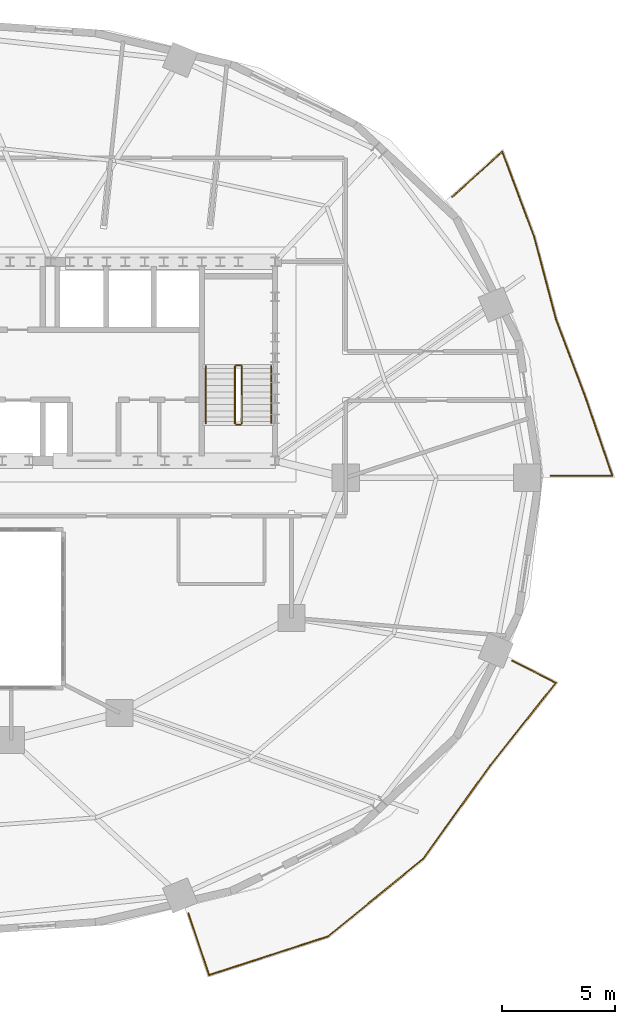
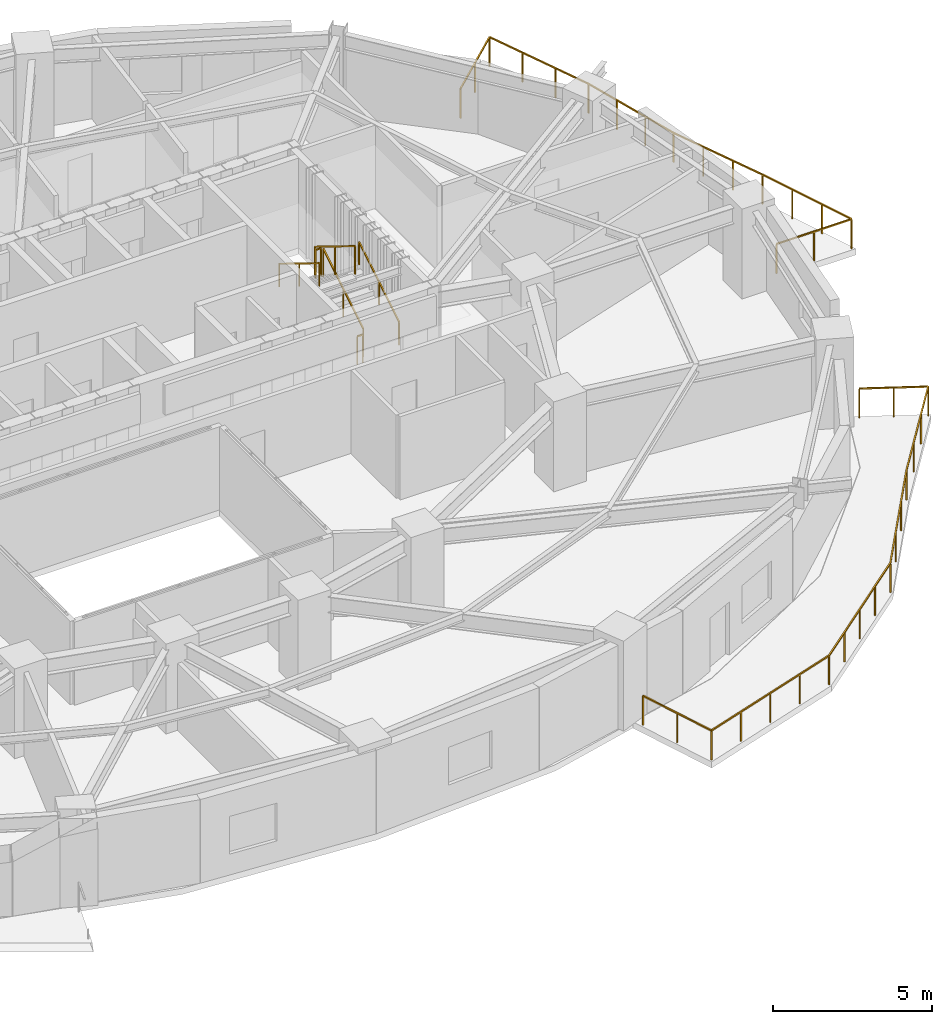
# One storey, part 13 of 13: 8 railings.
"""IFC4 building model written with IfcOpenShell, lengths in metres."""

from ifc_helpers import new_model, si_unit, direction, frame, origin, origin_2d, place, context, subcontext, project, spatial, rectangle, extrude, material, type_object, element, save


model = new_model("IFC4")

# Units and contexts
model_context = context("Model", 3, precision=1e-05, world=origin(), true_north=direction((0.0, 1.0)))
body_context = subcontext(model_context, "Body", "Model", "MODEL_VIEW")
ifc_project = project(units=[si_unit("LENGTHUNIT", "METRE"), si_unit("AREAUNIT", "SQUARE_METRE"), si_unit("VOLUMEUNIT", "CUBIC_METRE"), si_unit("PLANEANGLEUNIT", "RADIAN"), si_unit("MASSUNIT", "GRAM", prefix="KILO")], contexts=[model_context])

# Site, building, storey
site_placement = place(None, origin())
site = spatial("IfcSite", under=ifc_project, at=site_placement, CompositionType="ELEMENT")
building_placement = place(site_placement, origin())
building = spatial("IfcBuilding", under=site, at=building_placement, Name="Haldorwick Loom Tower", CompositionType="ELEMENT")
storey_placement = place(building_placement, frame((0.0, 0.0, 175.14990234375)))
storey = spatial("IfcBuildingStorey", under=building, at=storey_placement, Name="L47", CompositionType="ELEMENT", Elevation=175.14990234375)

# Railings
ifc_material_1 = material(Name="Galvanized Steel CSA G40.21 350W", Category="steel")
railing_type_1 = type_object("IfcRailingType", Name="ARC-RLG-BAL115", PredefinedType="BALUSTRADE", material=ifc_material_1)
railing_1_placement = place(storey_placement, frame((60.55322265625, 17.914306640625, 0.0)))
element("IfcRailing", 1, at=railing_1_placement, inside=storey, type_object=railing_type_1, Name="L47 Outdoor Terrace Guardrail SLB-L47-BAL_SE-1", PredefinedType="BALUSTRADE", context=body_context, shape_type="SweptSolid", body=[
    extrude(rectangle(XDim=0.048095703125, YDim=0.048095703125, at=origin_2d()), frame((0.0, 0.0, 1.1259765625), z_axis=(0.890002219109, -0.45595619305, 0.0), x_axis=(0.45595619305, 0.890002219109, 0.0)), (0.0, 0.0, 1.0), 2.1728515625),
    extrude(rectangle(XDim=0.048095703125, YDim=0.048095703125, at=origin_2d()), frame((1.933837890625, -0.99072265625, 1.1259765625), z_axis=(-0.621986182745, -0.783028216908, 0.0), x_axis=(0.783028216908, -0.621986182745, 0.0)), (0.0, 0.0, 1.0), 4.65576171875),
    extrude(rectangle(XDim=0.048095703125, YDim=0.048095703125, at=origin_2d()), frame((-0.9619140625, -4.63623046875, 1.1259765625), z_axis=(-0.60971076085, -0.792623989105, 0.0), x_axis=(0.792623989105, -0.60971076085, 0.0)), (0.0, 0.0, 1.0), 0.00390625),
    extrude(rectangle(XDim=0.048095703125, YDim=0.048095703125, at=origin_2d()), frame((-0.96435546875, -4.639404296875, 1.1259765625), z_axis=(-0.583373132525, -0.812204277413, 0.0), x_axis=(0.812204277413, -0.583373132525, 0.0)), (0.0, 0.0, 1.0), 5.090087890625),
    extrude(rectangle(XDim=0.048095703125, YDim=0.048095703125, at=origin_2d()), frame((-3.933837890625, -8.773681640625, 1.1259765625), z_axis=(-0.774794820107, -0.632212770145, 0.0), x_axis=(0.632212770145, -0.774794820107, 0.0)), (0.0, 0.0, 1.0), 5.424560546875),
    extrude(rectangle(XDim=0.048095703125, YDim=0.048095703125, at=origin_2d()), frame((-8.13671875, -12.203125, 1.1259765625), z_axis=(-0.951073621426, -0.308964345236, 0.0), x_axis=(0.308964345236, -0.951073621426, 0.0)), (0.0, 0.0, 1.0), 5.532958984375),
    extrude(rectangle(XDim=0.048095703125, YDim=0.048095703125, at=origin_2d()), frame((-13.39892578125, -13.91259765625, 1.1259765625), z_axis=(-0.316839129374, 0.948479291338, 0.0), x_axis=(-0.948479291338, -0.316839129374, 0.0)), (0.0, 0.0, 1.0), 2.875),
    extrude(rectangle(XDim=0.0419921875, YDim=0.0419921875, at=origin_2d()), origin(), (0.0, 0.0, 1.0), 1.101806640625),
    extrude(rectangle(XDim=0.0419921875, YDim=0.0419921875, at=origin_2d()), frame((0.966796875, -0.495361328125, 0.0)), (0.0, 0.0, 1.0), 1.101806640625),
    extrude(rectangle(XDim=0.0419921875, YDim=0.0419921875, at=origin_2d()), frame((1.933837890625, -0.99072265625, 0.0)), (0.0, 0.0, 1.0), 1.101806640625),
    extrude(rectangle(XDim=0.0419921875, YDim=0.0419921875, at=origin_2d()), frame((0.968505859375, -2.205810546875, 0.0)), (0.0, 0.0, 1.0), 1.101806640625),
    extrude(rectangle(XDim=0.0419921875, YDim=0.0419921875, at=origin_2d()), frame((0.00341796875, -3.421142578125, 0.0)), (0.0, 0.0, 1.0), 1.101806640625),
    extrude(rectangle(XDim=0.0419921875, YDim=0.0419921875, at=origin_2d()), frame((-0.9619140625, -4.63623046875, 0.0)), (0.0, 0.0, 1.0), 1.101806640625),
    extrude(rectangle(XDim=0.0419921875, YDim=0.0419921875, at=origin_2d()), frame((-1.9541015625, -6.017578125, 0.0)), (0.0, 0.0, 1.0), 1.101806640625),
    extrude(rectangle(XDim=0.0419921875, YDim=0.0419921875, at=origin_2d()), frame((-2.944091796875, -7.3955078125, 0.0)), (0.0, 0.0, 1.0), 1.101806640625),
    extrude(rectangle(XDim=0.0419921875, YDim=0.0419921875, at=origin_2d()), frame((-3.933837890625, -8.773681640625, 0.0)), (0.0, 0.0, 1.0), 1.101806640625),
    extrude(rectangle(XDim=0.0419921875, YDim=0.0419921875, at=origin_2d()), frame((-4.984619140625, -9.631103515625, 0.0)), (0.0, 0.0, 1.0), 1.101806640625),
    extrude(rectangle(XDim=0.0419921875, YDim=0.0419921875, at=origin_2d()), frame((-6.03515625, -10.48828125, 0.0)), (0.0, 0.0, 1.0), 1.101806640625),
    extrude(rectangle(XDim=0.0419921875, YDim=0.0419921875, at=origin_2d()), frame((-7.0859375, -11.345703125, 0.0)), (0.0, 0.0, 1.0), 1.101806640625),
    extrude(rectangle(XDim=0.0419921875, YDim=0.0419921875, at=origin_2d()), frame((-8.13671875, -12.203125, 0.0)), (0.0, 0.0, 1.0), 1.101806640625),
    extrude(rectangle(XDim=0.0419921875, YDim=0.0419921875, at=origin_2d()), frame((-9.4521484375, -12.63037109375, 0.0)), (0.0, 0.0, 1.0), 1.101806640625),
    extrude(rectangle(XDim=0.0419921875, YDim=0.0419921875, at=origin_2d()), frame((-10.767822265625, -13.057861328125, 0.0)), (0.0, 0.0, 1.0), 1.101806640625),
    extrude(rectangle(XDim=0.0419921875, YDim=0.0419921875, at=origin_2d()), frame((-12.08349609375, -13.4853515625, 0.0)), (0.0, 0.0, 1.0), 1.101806640625),
    extrude(rectangle(XDim=0.0419921875, YDim=0.0419921875, at=origin_2d()), frame((-13.39892578125, -13.91259765625, 0.0)), (0.0, 0.0, 1.0), 1.101806640625),
    extrude(rectangle(XDim=0.0419921875, YDim=0.0419921875, at=origin_2d()), frame((-13.8544921875, -12.54931640625, 0.0)), (0.0, 0.0, 1.0), 1.101806640625),
    extrude(rectangle(XDim=0.0419921875, YDim=0.0419921875, at=origin_2d()), frame((-14.309814453125, -11.185791015625, 0.0)), (0.0, 0.0, 1.0), 1.101806640625),
])
railing_2_placement = place(storey_placement, frame((57.91162109375, 38.41845703125, 0.0)))
element("IfcRailing", 2, at=railing_2_placement, inside=storey, type_object=railing_type_1, Name="L47 Outdoor Terrace Guardrail SLB-L47-BAL_ENE-1", PredefinedType="BALUSTRADE", context=body_context, shape_type="SweptSolid", body=[
    extrude(rectangle(XDim=0.048095703125, YDim=0.048095703125, at=origin_2d()), frame((0.0, 0.0, 1.1259765625), z_axis=(0.741694932885, 0.670737375232, 0.0), x_axis=(-0.670737375232, 0.741694932885, 0.0)), (0.0, 0.0, 1.0), 2.9794921875),
    extrude(rectangle(XDim=0.048095703125, YDim=0.048095703125, at=origin_2d()), frame((2.2099609375, 1.99853515625, 1.1259765625), z_axis=(0.350917888404, -0.93640623428, 0.0), x_axis=(0.93640623428, 0.350917888404, 0.0)), (0.0, 0.0, 1.0), 4.03515625),
    extrude(rectangle(XDim=0.048095703125, YDim=0.048095703125, at=origin_2d()), frame((3.6259765625, -1.780029296875, 1.1259765625), z_axis=(0.255651532223, -0.966768997265, 0.0), x_axis=(0.966768997265, 0.255651532223, 0.0)), (0.0, 0.0, 1.0), 3.786376953125),
    extrude(rectangle(XDim=0.048095703125, YDim=0.048095703125, at=origin_2d()), frame((4.593994140625, -5.440673828125, 1.1259765625), z_axis=(0.307002779923, -0.951708617761, 0.0), x_axis=(0.951708617761, 0.307002779923, 0.0)), (0.0, 0.0, 1.0), 0.008056640625),
    extrude(rectangle(XDim=0.048095703125, YDim=0.048095703125, at=origin_2d()), frame((4.596435546875, -5.4482421875, 1.1259765625), z_axis=(0.354053402924, -0.935225207037, 0.0), x_axis=(0.935225207037, 0.354053402924, 0.0)), (0.0, 0.0, 1.0), 3.614013671875),
    extrude(rectangle(XDim=0.048095703125, YDim=0.048095703125, at=origin_2d()), frame((5.8759765625, -8.828125, 1.1259765625), z_axis=(0.324877543995, -0.945756089807, 0.0), x_axis=(0.945756089807, 0.324877543995, 0.0)), (0.0, 0.0, 1.0), 3.711669921875),
    extrude(rectangle(XDim=0.048095703125, YDim=0.048095703125, at=origin_2d()), frame((7.081787109375, -12.33837890625, 1.1259765625), z_axis=(-1.0, 0.0, 0.0), x_axis=(0.0, -1.0, 0.0)), (0.0, 0.0, 1.0), 2.733154296875),
    extrude(rectangle(XDim=0.0419921875, YDim=0.0419921875, at=origin_2d()), origin(), (0.0, 0.0, 1.0), 1.101806640625),
    extrude(rectangle(XDim=0.0419921875, YDim=0.0419921875, at=origin_2d()), frame((1.10498046875, 0.999267578125, 0.0)), (0.0, 0.0, 1.0), 1.101806640625),
    extrude(rectangle(XDim=0.0419921875, YDim=0.0419921875, at=origin_2d()), frame((2.2099609375, 1.99853515625, 0.0)), (0.0, 0.0, 1.0), 1.101806640625),
    extrude(rectangle(XDim=0.0419921875, YDim=0.0419921875, at=origin_2d()), frame((2.681884765625, 0.739013671875, 0.0)), (0.0, 0.0, 1.0), 1.101806640625),
    extrude(rectangle(XDim=0.0419921875, YDim=0.0419921875, at=origin_2d()), frame((3.154052734375, -0.5205078125, 0.0)), (0.0, 0.0, 1.0), 1.101806640625),
    extrude(rectangle(XDim=0.0419921875, YDim=0.0419921875, at=origin_2d()), frame((3.6259765625, -1.780029296875, 0.0)), (0.0, 0.0, 1.0), 1.101806640625),
    extrude(rectangle(XDim=0.0419921875, YDim=0.0419921875, at=origin_2d()), frame((3.94873046875, -3.000244140625, 0.0)), (0.0, 0.0, 1.0), 1.101806640625),
    extrude(rectangle(XDim=0.0419921875, YDim=0.0419921875, at=origin_2d()), frame((4.271240234375, -4.220458984375, 0.0)), (0.0, 0.0, 1.0), 1.101806640625),
    extrude(rectangle(XDim=0.0419921875, YDim=0.0419921875, at=origin_2d()), frame((4.593994140625, -5.440673828125, 0.0)), (0.0, 0.0, 1.0), 1.101806640625),
    extrude(rectangle(XDim=0.0419921875, YDim=0.0419921875, at=origin_2d()), frame((5.02294921875, -6.574951171875, 0.0)), (0.0, 0.0, 1.0), 1.101806640625),
    extrude(rectangle(XDim=0.0419921875, YDim=0.0419921875, at=origin_2d()), frame((5.449462890625, -7.701416015625, 0.0)), (0.0, 0.0, 1.0), 1.101806640625),
    extrude(rectangle(XDim=0.0419921875, YDim=0.0419921875, at=origin_2d()), frame((5.8759765625, -8.828125, 0.0)), (0.0, 0.0, 1.0), 1.101806640625),
    extrude(rectangle(XDim=0.0419921875, YDim=0.0419921875, at=origin_2d()), frame((6.27783203125, -9.998291015625, 0.0)), (0.0, 0.0, 1.0), 1.101806640625),
    extrude(rectangle(XDim=0.0419921875, YDim=0.0419921875, at=origin_2d()), frame((6.679931640625, -11.168212890625, 0.0)), (0.0, 0.0, 1.0), 1.101806640625),
    extrude(rectangle(XDim=0.0419921875, YDim=0.0419921875, at=origin_2d()), frame((7.081787109375, -12.33837890625, 0.0)), (0.0, 0.0, 1.0), 1.101806640625),
    extrude(rectangle(XDim=0.0419921875, YDim=0.0419921875, at=origin_2d()), frame((5.71533203125, -12.33837890625, 0.0)), (0.0, 0.0, 1.0), 1.101806640625),
    extrude(rectangle(XDim=0.0419921875, YDim=0.0419921875, at=origin_2d()), frame((4.3486328125, -12.33837890625, 0.0)), (0.0, 0.0, 1.0), 1.101806640625),
])
ifc_material_2 = material(Name="Steel CSA G40.21 350W", Category="steel")
railing_type_2 = type_object("IfcRailingType", Name="ARC-RLG-GUARD112", PredefinedType="GUARDRAIL", material=ifc_material_2)
railing_3_placement = place(storey_placement, frame((48.60009765625, 28.39990234375, 0.172607421875)))
element("IfcRailing", 3, at=railing_3_placement, inside=storey, type_object=railing_type_2, Name="L47 ST-02 stair guard 1", PredefinedType="GUARDRAIL", context=body_context, shape_type="SweptSolid", body=[
    extrude(rectangle(XDim=0.048095703125, YDim=0.048095703125, at=origin_2d()), frame((0.0, 0.0, 1.076171875), z_axis=(0.0, 0.851400495292, 0.524516154772), x_axis=(-1.0, 0.0, 0.0)), (0.0, 0.0, 1.0), 2.9599609375),
    extrude(rectangle(XDim=0.0419921875, YDim=0.0419921875, at=origin_2d()), origin(), (0.0, 0.0, 1.0), 1.052001953125),
    extrude(rectangle(XDim=0.0419921875, YDim=0.0419921875, at=origin_2d()), frame((0.0, 1.260009765625, 0.7763671875)), (0.0, 0.0, 1.0), 1.052001953125),
    extrude(rectangle(XDim=0.0419921875, YDim=0.0419921875, at=origin_2d()), frame((0.0, 2.52001953125, 1.552490234375)), (0.0, 0.0, 1.0), 1.052001953125),
])
railing_4_placement = place(storey_placement, frame((48.550048828125, 30.969970703125, 1.72509765625)))
element("IfcRailing", 4, at=railing_4_placement, inside=storey, type_object=railing_type_2, Name="L47 ST-02 stair guard 2", PredefinedType="GUARDRAIL", context=body_context, shape_type="SweptSolid", body=[
    extrude(rectangle(XDim=0.048095703125, YDim=0.048095703125, at=origin_2d()), frame((0.0, 0.0, 1.076171875), z_axis=(-1.0, 0.0, 0.0), x_axis=(0.0, -1.0, 0.0)), (0.0, 0.0, 1.0), 0.199951171875),
    extrude(rectangle(XDim=0.0419921875, YDim=0.0419921875, at=origin_2d()), origin(), (0.0, 0.0, 1.0), 1.052001953125),
    extrude(rectangle(XDim=0.0419921875, YDim=0.0419921875, at=origin_2d()), frame((-0.199951171875, 0.0, 0.0)), (0.0, 0.0, 1.0), 1.052001953125),
])
railing_5_placement = place(storey_placement, frame((48.300048828125, 30.919921875, 1.897705078125)))
element("IfcRailing", 5, at=railing_5_placement, inside=storey, type_object=railing_type_2, Name="L47 ST-02 stair guard 3", PredefinedType="GUARDRAIL", context=body_context, shape_type="SweptSolid", body=[
    extrude(rectangle(XDim=0.048095703125, YDim=0.048095703125, at=origin_2d()), frame((0.0, 0.0, 1.076171875), z_axis=(0.0, -0.851400495292, 0.524516154772), x_axis=(1.0, 0.0, 0.0)), (0.0, 0.0, 1.0), 2.9599609375),
    extrude(rectangle(XDim=0.0419921875, YDim=0.0419921875, at=origin_2d()), origin(), (0.0, 0.0, 1.0), 1.052001953125),
    extrude(rectangle(XDim=0.0419921875, YDim=0.0419921875, at=origin_2d()), frame((0.0, -1.260009765625, 0.7763671875)), (0.0, 0.0, 1.0), 1.052001953125),
    extrude(rectangle(XDim=0.0419921875, YDim=0.0419921875, at=origin_2d()), frame((0.0, -2.52001953125, 1.552490234375)), (0.0, 0.0, 1.0), 1.052001953125),
])
railing_6_placement = place(storey_placement, frame((48.550048828125, 28.35009765625, 0.0)))
element("IfcRailing", 6, at=railing_6_placement, inside=storey, type_object=railing_type_2, Name="L47 ST-02 stair guard 4", PredefinedType="GUARDRAIL", context=body_context, shape_type="SweptSolid", body=[
    extrude(rectangle(XDim=0.048095703125, YDim=0.048095703125, at=origin_2d()), frame((0.0, 0.0, 1.076171875), z_axis=(-1.0, 0.0, 0.0), x_axis=(0.0, -1.0, 0.0)), (0.0, 0.0, 1.0), 0.199951171875),
    extrude(rectangle(XDim=0.0419921875, YDim=0.0419921875, at=origin_2d()), origin(), (0.0, 0.0, 1.0), 1.052001953125),
    extrude(rectangle(XDim=0.0419921875, YDim=0.0419921875, at=origin_2d()), frame((-0.199951171875, 0.0, 0.0)), (0.0, 0.0, 1.0), 1.052001953125),
])
railing_type_3 = type_object("IfcRailingType", Name="ARC-RLG-HAND092", PredefinedType="HANDRAIL", material=ifc_material_2)
railing_7_placement = place(storey_placement, frame((49.89990234375, 28.39990234375, 0.172607421875)))
element("IfcRailing", 7, at=railing_7_placement, inside=storey, type_object=railing_type_3, Name="L47 ST-02 stair handrail 1", PredefinedType="HANDRAIL", context=body_context, shape_type="SweptSolid", body=[
    extrude(rectangle(XDim=0.048095703125, YDim=0.048095703125, at=origin_2d()), frame((0.0, 0.0, 0.8759765625), z_axis=(0.0, 0.851400495292, 0.524516154772), x_axis=(-1.0, 0.0, 0.0)), (0.0, 0.0, 1.0), 2.9599609375),
    extrude(rectangle(XDim=0.0419921875, YDim=0.0419921875, at=origin_2d()), origin(), (0.0, 0.0, 1.0), 0.851806640625),
    extrude(rectangle(XDim=0.0419921875, YDim=0.0419921875, at=origin_2d()), frame((0.0, 1.260009765625, 0.7763671875)), (0.0, 0.0, 1.0), 0.851806640625),
    extrude(rectangle(XDim=0.0419921875, YDim=0.0419921875, at=origin_2d()), frame((0.0, 2.52001953125, 1.552490234375)), (0.0, 0.0, 1.0), 0.851806640625),
])
railing_8_placement = place(storey_placement, frame((47.0, 30.919921875, 1.897705078125)))
element("IfcRailing", 8, at=railing_8_placement, inside=storey, type_object=railing_type_3, Name="L47 ST-02 stair handrail 2", PredefinedType="HANDRAIL", context=body_context, shape_type="SweptSolid", body=[
    extrude(rectangle(XDim=0.048095703125, YDim=0.048095703125, at=origin_2d()), frame((0.0, 0.0, 0.8759765625), z_axis=(0.0, -0.851400495292, 0.524516154772), x_axis=(1.0, 0.0, 0.0)), (0.0, 0.0, 1.0), 2.9599609375),
    extrude(rectangle(XDim=0.0419921875, YDim=0.0419921875, at=origin_2d()), origin(), (0.0, 0.0, 1.0), 0.851806640625),
    extrude(rectangle(XDim=0.0419921875, YDim=0.0419921875, at=origin_2d()), frame((0.0, -1.260009765625, 0.7763671875)), (0.0, 0.0, 1.0), 0.851806640625),
    extrude(rectangle(XDim=0.0419921875, YDim=0.0419921875, at=origin_2d()), frame((0.0, -2.52001953125, 1.552490234375)), (0.0, 0.0, 1.0), 0.851806640625),
])

save(model, "model.ifc")
